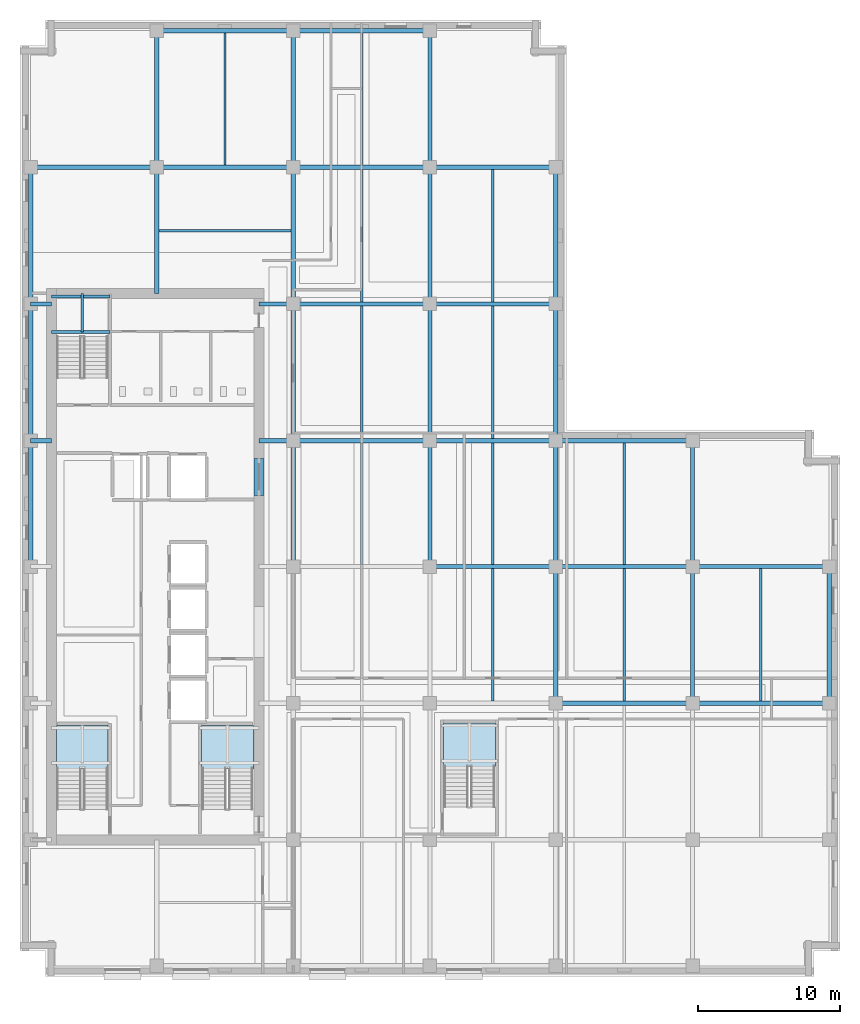
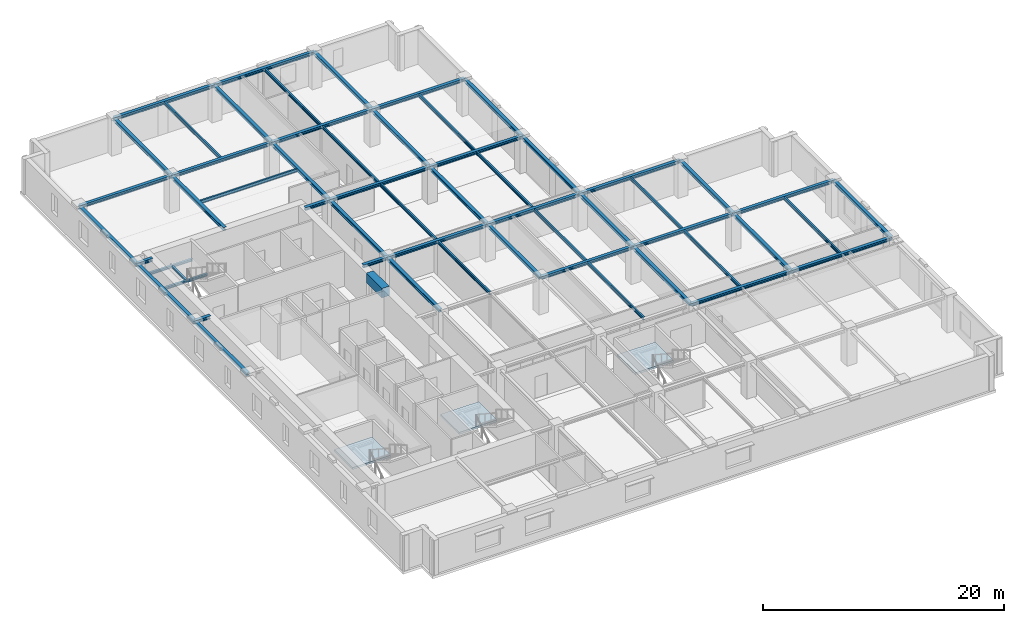
# One storey, part 2 of 13: 57 beams, 3 slabs, 3 elements without a shape of their own.
"""IFC4 building model written with IfcOpenShell, lengths in metres."""

from ifc_helpers import new_model, si_unit, direction, frame, origin, origin_2d, place, context, subcontext, project, spatial, polyline, rectangle, i_section, outline, extrude, material, layer, layer_set, material_profile, profile_set, type_object, element, aggregate, save


model = new_model("IFC4")

# Units and contexts
model_context = context("Model", 3, precision=1e-05, world=origin(), true_north=direction((0.0, 1.0)))
body_context = subcontext(model_context, "Body", "Model", "MODEL_VIEW")
ifc_project = project(units=[si_unit("LENGTHUNIT", "METRE"), si_unit("AREAUNIT", "SQUARE_METRE"), si_unit("VOLUMEUNIT", "CUBIC_METRE"), si_unit("PLANEANGLEUNIT", "RADIAN"), si_unit("MASSUNIT", "GRAM", prefix="KILO")], contexts=[model_context])

# Site, building, storey
site_placement = place(None, origin())
site = spatial("IfcSite", under=ifc_project, at=site_placement, CompositionType="ELEMENT")
building_placement = place(site_placement, origin())
building = spatial("IfcBuilding", under=site, at=building_placement, Name="Norrvale University Quadrangle", CompositionType="ELEMENT")
storey_placement = place(building_placement, frame((0.0, 0.0, 175.0)))
storey = spatial("IfcBuildingStorey", under=building, at=storey_placement, Name="L44", CompositionType="ELEMENT", Elevation=175.0)

# Beams
ifc_material_1 = material(Name="Steel 350W", Category="steel")
ifc_material_profile_1 = material_profile(ifc_material_1, i_section(OverallWidth=0.1669921875, OverallDepth=0.31689453125, WebThickness=0.007568359375, FlangeThickness=0.01318359375, FilletRadius=0.010009765625, at=origin_2d()), Name="Steel 350W")
ifc_profile_set_1 = profile_set([ifc_material_profile_1], Name="Steel 350W")
beam_type_1 = type_object("IfcBeamType", Name="Beam Canopy Purlin W310x52", PredefinedType="USERDEFINED", material=ifc_profile_set_1)
beam_1_placement = place(storey_placement, frame((14.39990234375, 57.00244140625, 3.381591796875), z_axis=(0.0, 1.0, 0.0), x_axis=(-1.0, 0.0, 0.0)))
element("IfcBeam", 1, at=beam_1_placement, inside=storey, type_object=beam_type_1, Name="Beam Canopy Purlin W310x52 BM-L44-J070", ObjectType="PURLIN", PredefinedType="USERDEFINED", context=body_context, shape_type="SweptSolid", body=[
    extrude(i_section(OverallWidth=0.1669921875, OverallDepth=0.31689453125, WebThickness=0.007568359375, FlangeThickness=0.01318359375, FilletRadius=0.010009765625, at=origin_2d()), origin(), (0.0, 0.0, 1.0), 9.295166015625),
])
beam_2_placement = place(storey_placement, frame((24.0, 28.952392578125, 3.381591796875), z_axis=(0.0, 1.0, 0.0), x_axis=(-1.0, 0.0, 0.0)))
element("IfcBeam", 2, at=beam_2_placement, inside=storey, type_object=beam_type_1, Name="Beam Canopy Purlin W310x52 BM-L44-J074", ObjectType="PURLIN", PredefinedType="USERDEFINED", context=body_context, shape_type="SweptSolid", body=[
    extrude(i_section(OverallWidth=0.1669921875, OverallDepth=0.31689453125, WebThickness=0.007568359375, FlangeThickness=0.01318359375, FilletRadius=0.010009765625, at=origin_2d()), origin(), (0.0, 0.0, 1.0), 8.545166015625),
])
for number, where, z_axis, x_axis, name in (
    (3, (24.0, 37.802490234375, 3.381591796875), (0.0, 1.0, 0.0), (-1.0, 0.0, 0.0), "Beam Canopy Purlin W310x52 BM-L44-J075"),
    (4, (24.0, 47.402587890625, 3.381591796875), (0.0, 1.0, 0.0), (-1.0, 0.0, 0.0), "Beam Canopy Purlin W310x52 BM-L44-J076"),
):
    element("IfcBeam", number, at=place(storey_placement, frame(where, z_axis=z_axis, x_axis=x_axis)), inside=storey, type_object=beam_type_1, Name=name, ObjectType="PURLIN", PredefinedType="USERDEFINED", context=body_context, shape_type="SweptSolid", body=[
        extrude(i_section(OverallWidth=0.1669921875, OverallDepth=0.31689453125, WebThickness=0.007568359375, FlangeThickness=0.01318359375, FilletRadius=0.010009765625, at=origin_2d()), origin(), (0.0, 0.0, 1.0), 9.294921875),
    ])
beam_3_placement = place(storey_placement, frame((24.0, 57.00244140625, 3.381591796875), z_axis=(0.0, 1.0, 0.0), x_axis=(-1.0, 0.0, 0.0)))
element("IfcBeam", 5, at=beam_3_placement, inside=storey, type_object=beam_type_1, Name="Beam Canopy Purlin W310x52 BM-L44-J077", ObjectType="PURLIN", PredefinedType="USERDEFINED", context=body_context, shape_type="SweptSolid", body=[
    extrude(i_section(OverallWidth=0.1669921875, OverallDepth=0.31689453125, WebThickness=0.007568359375, FlangeThickness=0.01318359375, FilletRadius=0.010009765625, at=origin_2d()), origin(), (0.0, 0.0, 1.0), 9.295166015625),
])
beam_4_placement = place(storey_placement, frame((33.22509765625, 19.3525390625, 3.381591796875), z_axis=(0.0, 1.0, 0.0), x_axis=(-1.0, 0.0, 0.0)))
element("IfcBeam", 6, at=beam_4_placement, inside=storey, type_object=beam_type_1, Name="Beam Canopy Purlin W310x52 BM-L44-J079", ObjectType="PURLIN", PredefinedType="USERDEFINED", context=body_context, shape_type="SweptSolid", body=[
    extrude(i_section(OverallWidth=0.1669921875, OverallDepth=0.31689453125, WebThickness=0.007568359375, FlangeThickness=0.01318359375, FilletRadius=0.010009765625, at=origin_2d()), origin(), (0.0, 0.0, 1.0), 9.294921875),
])
beam_5_placement = place(storey_placement, frame((33.22509765625, 28.952392578125, 3.381591796875), z_axis=(0.0, 1.0, 0.0), x_axis=(-1.0, 0.0, 0.0)))
element("IfcBeam", 7, at=beam_5_placement, inside=storey, type_object=beam_type_1, Name="Beam Canopy Purlin W310x52 BM-L44-J080", ObjectType="PURLIN", PredefinedType="USERDEFINED", context=body_context, shape_type="SweptSolid", body=[
    extrude(i_section(OverallWidth=0.1669921875, OverallDepth=0.31689453125, WebThickness=0.007568359375, FlangeThickness=0.01318359375, FilletRadius=0.010009765625, at=origin_2d()), origin(), (0.0, 0.0, 1.0), 8.545166015625),
])
for number, where, z_axis, x_axis, name in (
    (8, (33.22509765625, 37.802490234375, 3.381591796875), (0.0, 1.0, 0.0), (-1.0, 0.0, 0.0), "Beam Canopy Purlin W310x52 BM-L44-J081"),
    (9, (33.22509765625, 47.402587890625, 3.381591796875), (0.0, 1.0, 0.0), (-1.0, 0.0, 0.0), "Beam Canopy Purlin W310x52 BM-L44-J082"),
    (10, (42.449951171875, 19.3525390625, 3.381591796875), (0.0, 1.0, 0.0), (-1.0, 0.0, 0.0), "Beam Canopy Purlin W310x52 BM-L44-J085"),
):
    element("IfcBeam", number, at=place(storey_placement, frame(where, z_axis=z_axis, x_axis=x_axis)), inside=storey, type_object=beam_type_1, Name=name, ObjectType="PURLIN", PredefinedType="USERDEFINED", context=body_context, shape_type="SweptSolid", body=[
        extrude(i_section(OverallWidth=0.1669921875, OverallDepth=0.31689453125, WebThickness=0.007568359375, FlangeThickness=0.01318359375, FilletRadius=0.010009765625, at=origin_2d()), origin(), (0.0, 0.0, 1.0), 9.294921875),
    ])
beam_6_placement = place(storey_placement, frame((42.449951171875, 28.952392578125, 3.381591796875), z_axis=(0.0, 1.0, 0.0), x_axis=(-1.0, 0.0, 0.0)))
element("IfcBeam", 11, at=beam_6_placement, inside=storey, type_object=beam_type_1, Name="Beam Canopy Purlin W310x52 BM-L44-J086", ObjectType="PURLIN", PredefinedType="USERDEFINED", context=body_context, shape_type="SweptSolid", body=[
    extrude(i_section(OverallWidth=0.1669921875, OverallDepth=0.31689453125, WebThickness=0.007568359375, FlangeThickness=0.01318359375, FilletRadius=0.010009765625, at=origin_2d()), origin(), (0.0, 0.0, 1.0), 8.545166015625),
])
beam_7_placement = place(storey_placement, frame((52.050048828125, 19.3525390625, 3.381591796875), z_axis=(0.0, 1.0, 0.0), x_axis=(-1.0, 0.0, 0.0)))
element("IfcBeam", 12, at=beam_7_placement, inside=storey, type_object=beam_type_1, Name="Beam Canopy Purlin W310x52 BM-L44-J088", ObjectType="PURLIN", PredefinedType="USERDEFINED", context=body_context, shape_type="SweptSolid", body=[
    extrude(i_section(OverallWidth=0.1669921875, OverallDepth=0.31689453125, WebThickness=0.007568359375, FlangeThickness=0.01318359375, FilletRadius=0.010009765625, at=origin_2d()), origin(), (0.0, 0.0, 1.0), 9.294921875),
])
beam_8_placement = place(storey_placement, frame((9.75244140625, 52.39990234375, 3.381591796875), z_axis=(1.0, 0.0, 0.0), x_axis=(0.0, 1.0, 0.0)))
element("IfcBeam", 13, at=beam_8_placement, inside=storey, type_object=beam_type_1, Name="Beam Canopy Purlin W310x52 BM-L44-JCN092", ObjectType="PURLIN", PredefinedType="USERDEFINED", context=body_context, shape_type="SweptSolid", body=[
    extrude(i_section(OverallWidth=0.1669921875, OverallDepth=0.31689453125, WebThickness=0.007568359375, FlangeThickness=0.01318359375, FilletRadius=0.010009765625, at=origin_2d()), origin(), (0.0, 0.0, 1.0), 9.295166015625),
])
ifc_material_profile_2 = material_profile(ifc_material_1, i_section(OverallWidth=0.304931640625, OverallDepth=0.30810546875, WebThickness=0.010009765625, FlangeThickness=0.015380859375, FilletRadius=0.014892578125, at=origin_2d()), Name="Steel 350W")
ifc_profile_set_2 = profile_set([ifc_material_profile_2], Name="Steel 350W")
beam_type_2 = type_object("IfcBeamType", Name="Beam Canopy W310x97", PredefinedType="BEAM", material=ifc_profile_set_2)
for number, where, z_axis, x_axis, name in (
    (14, (37.64990234375, 19.199951171875, 3.385986328125), (1.0, 0.0, 0.0), (0.0, 1.0, 0.0), "Beam Canopy W310x97 BM-L44-GX011"),
    (15, (47.25, 19.199951171875, 3.385986328125), (1.0, 0.0, 0.0), (0.0, 1.0, 0.0), "Beam Canopy W310x97 BM-L44-GX012"),
):
    element("IfcBeam", number, at=place(storey_placement, frame(where, z_axis=z_axis, x_axis=x_axis)), inside=storey, type_object=beam_type_2, Name=name, PredefinedType="BEAM", context=body_context, shape_type="SweptSolid", body=[
        extrude(i_section(OverallWidth=0.304931640625, OverallDepth=0.30810546875, WebThickness=0.010009765625, FlangeThickness=0.015380859375, FilletRadius=0.014892578125, at=origin_2d()), origin(), (0.0, 0.0, 1.0), 9.60009765625),
    ])
beam_9_placement = place(storey_placement, frame((28.800048828125, 28.800048828125, 3.385986328125), z_axis=(1.0, 0.0, 0.0), x_axis=(0.0, 1.0, 0.0)))
element("IfcBeam", 16, at=beam_9_placement, inside=storey, type_object=beam_type_2, Name="Beam Canopy W310x97 BM-L44-GX014", PredefinedType="BEAM", context=body_context, shape_type="SweptSolid", body=[
    extrude(i_section(OverallWidth=0.304931640625, OverallDepth=0.30810546875, WebThickness=0.010009765625, FlangeThickness=0.015380859375, FilletRadius=0.014892578125, at=origin_2d()), origin(), (0.0, 0.0, 1.0), 8.849853515625),
])
for number, where, z_axis, x_axis, name in (
    (17, (37.64990234375, 28.800048828125, 3.385986328125), (1.0, 0.0, 0.0), (0.0, 1.0, 0.0), "Beam Canopy W310x97 BM-L44-GX015"),
    (18, (47.25, 28.800048828125, 3.385986328125), (1.0, 0.0, 0.0), (0.0, 1.0, 0.0), "Beam Canopy W310x97 BM-L44-GX016"),
    (19, (19.199951171875, 37.64990234375, 3.385986328125), (1.0, 0.0, 0.0), (0.0, 1.0, 0.0), "Beam Canopy W310x97 BM-L44-GX017"),
):
    element("IfcBeam", number, at=place(storey_placement, frame(where, z_axis=z_axis, x_axis=x_axis)), inside=storey, type_object=beam_type_2, Name=name, PredefinedType="BEAM", context=body_context, shape_type="SweptSolid", body=[
        extrude(i_section(OverallWidth=0.304931640625, OverallDepth=0.30810546875, WebThickness=0.010009765625, FlangeThickness=0.015380859375, FilletRadius=0.014892578125, at=origin_2d()), origin(), (0.0, 0.0, 1.0), 9.60009765625),
    ])
beam_10_placement = place(storey_placement, frame((28.800048828125, 37.64990234375, 3.385986328125), z_axis=(1.0, 0.0, 0.0), x_axis=(0.0, 1.0, 0.0)))
element("IfcBeam", 20, at=beam_10_placement, inside=storey, type_object=beam_type_2, Name="Beam Canopy W310x97 BM-L44-GX018", PredefinedType="BEAM", context=body_context, shape_type="SweptSolid", body=[
    extrude(i_section(OverallWidth=0.304931640625, OverallDepth=0.30810546875, WebThickness=0.010009765625, FlangeThickness=0.015380859375, FilletRadius=0.014892578125, at=origin_2d()), origin(), (0.0, 0.0, 1.0), 8.849853515625),
])
for number, where, z_axis, x_axis, name in (
    (21, (37.64990234375, 37.64990234375, 3.385986328125), (1.0, 0.0, 0.0), (0.0, 1.0, 0.0), "Beam Canopy W310x97 BM-L44-GX019"),
    (22, (19.199951171875, 47.25, 3.385986328125), (1.0, 0.0, 0.0), (0.0, 1.0, 0.0), "Beam Canopy W310x97 BM-L44-GX020"),
):
    element("IfcBeam", number, at=place(storey_placement, frame(where, z_axis=z_axis, x_axis=x_axis)), inside=storey, type_object=beam_type_2, Name=name, PredefinedType="BEAM", context=body_context, shape_type="SweptSolid", body=[
        extrude(i_section(OverallWidth=0.304931640625, OverallDepth=0.30810546875, WebThickness=0.010009765625, FlangeThickness=0.015380859375, FilletRadius=0.014892578125, at=origin_2d()), origin(), (0.0, 0.0, 1.0), 9.60009765625),
    ])
beam_11_placement = place(storey_placement, frame((28.800048828125, 47.25, 3.385986328125), z_axis=(1.0, 0.0, 0.0), x_axis=(0.0, 1.0, 0.0)))
element("IfcBeam", 23, at=beam_11_placement, inside=storey, type_object=beam_type_2, Name="Beam Canopy W310x97 BM-L44-GX021", PredefinedType="BEAM", context=body_context, shape_type="SweptSolid", body=[
    extrude(i_section(OverallWidth=0.304931640625, OverallDepth=0.30810546875, WebThickness=0.010009765625, FlangeThickness=0.015380859375, FilletRadius=0.014892578125, at=origin_2d()), origin(), (0.0, 0.0, 1.0), 8.849853515625),
])
beam_12_placement = place(storey_placement, frame((0.75, 56.85009765625, 3.385986328125), z_axis=(1.0, 0.0, 0.0), x_axis=(0.0, 1.0, 0.0)))
element("IfcBeam", 24, at=beam_12_placement, inside=storey, type_object=beam_type_2, Name="Beam Canopy W310x97 BM-L44-GX022", PredefinedType="BEAM", context=body_context, shape_type="SweptSolid", body=[
    extrude(i_section(OverallWidth=0.304931640625, OverallDepth=0.30810546875, WebThickness=0.010009765625, FlangeThickness=0.015380859375, FilletRadius=0.014892578125, at=origin_2d()), origin(), (0.0, 0.0, 1.0), 8.85009765625),
])
beam_13_placement = place(storey_placement, frame((9.60009765625, 56.85009765625, 3.385986328125), z_axis=(1.0, 0.0, 0.0), x_axis=(0.0, 1.0, 0.0)))
element("IfcBeam", 25, at=beam_13_placement, inside=storey, type_object=beam_type_2, Name="Beam Canopy W310x97 BM-L44-GX023", PredefinedType="BEAM", context=body_context, shape_type="SweptSolid", body=[
    extrude(i_section(OverallWidth=0.304931640625, OverallDepth=0.30810546875, WebThickness=0.010009765625, FlangeThickness=0.015380859375, FilletRadius=0.014892578125, at=origin_2d()), origin(), (0.0, 0.0, 1.0), 9.599853515625),
])
beam_14_placement = place(storey_placement, frame((19.199951171875, 56.85009765625, 3.385986328125), z_axis=(1.0, 0.0, 0.0), x_axis=(0.0, 1.0, 0.0)))
element("IfcBeam", 26, at=beam_14_placement, inside=storey, type_object=beam_type_2, Name="Beam Canopy W310x97 BM-L44-GX024", PredefinedType="BEAM", context=body_context, shape_type="SweptSolid", body=[
    extrude(i_section(OverallWidth=0.304931640625, OverallDepth=0.30810546875, WebThickness=0.010009765625, FlangeThickness=0.015380859375, FilletRadius=0.014892578125, at=origin_2d()), origin(), (0.0, 0.0, 1.0), 9.60009765625),
])
beam_15_placement = place(storey_placement, frame((28.800048828125, 56.85009765625, 3.385986328125), z_axis=(1.0, 0.0, 0.0), x_axis=(0.0, 1.0, 0.0)))
element("IfcBeam", 27, at=beam_15_placement, inside=storey, type_object=beam_type_2, Name="Beam Canopy W310x97 BM-L44-GX025", PredefinedType="BEAM", context=body_context, shape_type="SweptSolid", body=[
    extrude(i_section(OverallWidth=0.304931640625, OverallDepth=0.30810546875, WebThickness=0.010009765625, FlangeThickness=0.015380859375, FilletRadius=0.014892578125, at=origin_2d()), origin(), (0.0, 0.0, 1.0), 8.849853515625),
])
beam_16_placement = place(storey_placement, frame((9.60009765625, 66.449951171875, 3.385986328125), z_axis=(1.0, 0.0, 0.0), x_axis=(0.0, 1.0, 0.0)))
element("IfcBeam", 28, at=beam_16_placement, inside=storey, type_object=beam_type_2, Name="Beam Canopy W310x97 BM-L44-GX026", PredefinedType="BEAM", context=body_context, shape_type="SweptSolid", body=[
    extrude(i_section(OverallWidth=0.304931640625, OverallDepth=0.30810546875, WebThickness=0.010009765625, FlangeThickness=0.015380859375, FilletRadius=0.014892578125, at=origin_2d()), origin(), (0.0, 0.0, 1.0), 9.599853515625),
])
beam_17_placement = place(storey_placement, frame((19.199951171875, 66.449951171875, 3.385986328125), z_axis=(1.0, 0.0, 0.0), x_axis=(0.0, 1.0, 0.0)))
element("IfcBeam", 29, at=beam_17_placement, inside=storey, type_object=beam_type_2, Name="Beam Canopy W310x97 BM-L44-GX027", PredefinedType="BEAM", context=body_context, shape_type="SweptSolid", body=[
    extrude(i_section(OverallWidth=0.304931640625, OverallDepth=0.30810546875, WebThickness=0.010009765625, FlangeThickness=0.015380859375, FilletRadius=0.014892578125, at=origin_2d()), origin(), (0.0, 0.0, 1.0), 9.60009765625),
])
beam_18_placement = place(storey_placement, frame((0.75, 28.800048828125, 3.385986328125), z_axis=(0.0, 1.0, 0.0), x_axis=(-1.0, 0.0, 0.0)))
element("IfcBeam", 30, at=beam_18_placement, inside=storey, type_object=beam_type_2, Name="Beam Canopy W310x97 BM-L44-GY030", PredefinedType="BEAM", context=body_context, shape_type="SweptSolid", body=[
    extrude(i_section(OverallWidth=0.304931640625, OverallDepth=0.30810546875, WebThickness=0.010009765625, FlangeThickness=0.015380859375, FilletRadius=0.014892578125, at=origin_2d()), origin(), (0.0, 0.0, 1.0), 8.849853515625),
])
for number, where, z_axis, x_axis, name in (
    (31, (0.75, 37.64990234375, 3.385986328125), (0.0, 1.0, 0.0), (-1.0, 0.0, 0.0), "Beam Canopy W310x97 BM-L44-GY031"),
    (32, (0.75, 47.25, 3.385986328125), (0.0, 1.0, 0.0), (-1.0, 0.0, 0.0), "Beam Canopy W310x97 BM-L44-GY032"),
):
    element("IfcBeam", number, at=place(storey_placement, frame(where, z_axis=z_axis, x_axis=x_axis)), inside=storey, type_object=beam_type_2, Name=name, PredefinedType="BEAM", context=body_context, shape_type="SweptSolid", body=[
        extrude(i_section(OverallWidth=0.304931640625, OverallDepth=0.30810546875, WebThickness=0.010009765625, FlangeThickness=0.015380859375, FilletRadius=0.014892578125, at=origin_2d()), origin(), (0.0, 0.0, 1.0), 9.60009765625),
    ])
beam_19_placement = place(storey_placement, frame((9.60009765625, 56.85009765625, 3.385986328125), z_axis=(0.0, 1.0, 0.0), x_axis=(-1.0, 0.0, 0.0)))
element("IfcBeam", 33, at=beam_19_placement, inside=storey, type_object=beam_type_2, Name="Beam Canopy W310x97 BM-L44-GY033", PredefinedType="BEAM", context=body_context, shape_type="SweptSolid", body=[
    extrude(i_section(OverallWidth=0.304931640625, OverallDepth=0.30810546875, WebThickness=0.010009765625, FlangeThickness=0.015380859375, FilletRadius=0.014892578125, at=origin_2d()), origin(), (0.0, 0.0, 1.0), 9.599853515625),
])
beam_20_placement = place(storey_placement, frame((19.199951171875, 28.800048828125, 3.385986328125), z_axis=(0.0, 1.0, 0.0), x_axis=(-1.0, 0.0, 0.0)))
element("IfcBeam", 34, at=beam_20_placement, inside=storey, type_object=beam_type_2, Name="Beam Canopy W310x97 BM-L44-GY037", PredefinedType="BEAM", context=body_context, shape_type="SweptSolid", body=[
    extrude(i_section(OverallWidth=0.304931640625, OverallDepth=0.30810546875, WebThickness=0.010009765625, FlangeThickness=0.015380859375, FilletRadius=0.014892578125, at=origin_2d()), origin(), (0.0, 0.0, 1.0), 8.849853515625),
])
for number, where, z_axis, x_axis, name in (
    (35, (19.199951171875, 37.64990234375, 3.385986328125), (0.0, 1.0, 0.0), (-1.0, 0.0, 0.0), "Beam Canopy W310x97 BM-L44-GY038"),
    (36, (19.199951171875, 47.25, 3.385986328125), (0.0, 1.0, 0.0), (-1.0, 0.0, 0.0), "Beam Canopy W310x97 BM-L44-GY039"),
):
    element("IfcBeam", number, at=place(storey_placement, frame(where, z_axis=z_axis, x_axis=x_axis)), inside=storey, type_object=beam_type_2, Name=name, PredefinedType="BEAM", context=body_context, shape_type="SweptSolid", body=[
        extrude(i_section(OverallWidth=0.304931640625, OverallDepth=0.30810546875, WebThickness=0.010009765625, FlangeThickness=0.015380859375, FilletRadius=0.014892578125, at=origin_2d()), origin(), (0.0, 0.0, 1.0), 9.60009765625),
    ])
beam_21_placement = place(storey_placement, frame((19.199951171875, 56.85009765625, 3.385986328125), z_axis=(0.0, 1.0, 0.0), x_axis=(-1.0, 0.0, 0.0)))
element("IfcBeam", 37, at=beam_21_placement, inside=storey, type_object=beam_type_2, Name="Beam Canopy W310x97 BM-L44-GY040", PredefinedType="BEAM", context=body_context, shape_type="SweptSolid", body=[
    extrude(i_section(OverallWidth=0.304931640625, OverallDepth=0.30810546875, WebThickness=0.010009765625, FlangeThickness=0.015380859375, FilletRadius=0.014892578125, at=origin_2d()), origin(), (0.0, 0.0, 1.0), 9.599853515625),
])
beam_22_placement = place(storey_placement, frame((28.800048828125, 28.800048828125, 3.385986328125), z_axis=(0.0, 1.0, 0.0), x_axis=(-1.0, 0.0, 0.0)))
element("IfcBeam", 38, at=beam_22_placement, inside=storey, type_object=beam_type_2, Name="Beam Canopy W310x97 BM-L44-GY044", PredefinedType="BEAM", context=body_context, shape_type="SweptSolid", body=[
    extrude(i_section(OverallWidth=0.304931640625, OverallDepth=0.30810546875, WebThickness=0.010009765625, FlangeThickness=0.015380859375, FilletRadius=0.014892578125, at=origin_2d()), origin(), (0.0, 0.0, 1.0), 8.849853515625),
])
for number, where, z_axis, x_axis, name in (
    (39, (28.800048828125, 37.64990234375, 3.385986328125), (0.0, 1.0, 0.0), (-1.0, 0.0, 0.0), "Beam Canopy W310x97 BM-L44-GY045"),
    (40, (28.800048828125, 47.25, 3.385986328125), (0.0, 1.0, 0.0), (-1.0, 0.0, 0.0), "Beam Canopy W310x97 BM-L44-GY046"),
):
    element("IfcBeam", number, at=place(storey_placement, frame(where, z_axis=z_axis, x_axis=x_axis)), inside=storey, type_object=beam_type_2, Name=name, PredefinedType="BEAM", context=body_context, shape_type="SweptSolid", body=[
        extrude(i_section(OverallWidth=0.304931640625, OverallDepth=0.30810546875, WebThickness=0.010009765625, FlangeThickness=0.015380859375, FilletRadius=0.014892578125, at=origin_2d()), origin(), (0.0, 0.0, 1.0), 9.60009765625),
    ])
beam_23_placement = place(storey_placement, frame((28.800048828125, 56.85009765625, 3.385986328125), z_axis=(0.0, 1.0, 0.0), x_axis=(-1.0, 0.0, 0.0)))
element("IfcBeam", 41, at=beam_23_placement, inside=storey, type_object=beam_type_2, Name="Beam Canopy W310x97 BM-L44-GY047", PredefinedType="BEAM", context=body_context, shape_type="SweptSolid", body=[
    extrude(i_section(OverallWidth=0.304931640625, OverallDepth=0.30810546875, WebThickness=0.010009765625, FlangeThickness=0.015380859375, FilletRadius=0.014892578125, at=origin_2d()), origin(), (0.0, 0.0, 1.0), 9.599853515625),
])
beam_24_placement = place(storey_placement, frame((37.64990234375, 19.199951171875, 3.385986328125), z_axis=(0.0, 1.0, 0.0), x_axis=(-1.0, 0.0, 0.0)))
element("IfcBeam", 42, at=beam_24_placement, inside=storey, type_object=beam_type_2, Name="Beam Canopy W310x97 BM-L44-GY050", PredefinedType="BEAM", context=body_context, shape_type="SweptSolid", body=[
    extrude(i_section(OverallWidth=0.304931640625, OverallDepth=0.30810546875, WebThickness=0.010009765625, FlangeThickness=0.015380859375, FilletRadius=0.014892578125, at=origin_2d()), origin(), (0.0, 0.0, 1.0), 9.60009765625),
])
beam_25_placement = place(storey_placement, frame((37.64990234375, 28.800048828125, 3.385986328125), z_axis=(0.0, 1.0, 0.0), x_axis=(-1.0, 0.0, 0.0)))
element("IfcBeam", 43, at=beam_25_placement, inside=storey, type_object=beam_type_2, Name="Beam Canopy W310x97 BM-L44-GY051", PredefinedType="BEAM", context=body_context, shape_type="SweptSolid", body=[
    extrude(i_section(OverallWidth=0.304931640625, OverallDepth=0.30810546875, WebThickness=0.010009765625, FlangeThickness=0.015380859375, FilletRadius=0.014892578125, at=origin_2d()), origin(), (0.0, 0.0, 1.0), 8.849853515625),
])
for number, where, z_axis, x_axis, name in (
    (44, (37.64990234375, 37.64990234375, 3.385986328125), (0.0, 1.0, 0.0), (-1.0, 0.0, 0.0), "Beam Canopy W310x97 BM-L44-GY052"),
    (45, (37.64990234375, 47.25, 3.385986328125), (0.0, 1.0, 0.0), (-1.0, 0.0, 0.0), "Beam Canopy W310x97 BM-L44-GY053"),
    (46, (47.25, 19.199951171875, 3.385986328125), (0.0, 1.0, 0.0), (-1.0, 0.0, 0.0), "Beam Canopy W310x97 BM-L44-GY056"),
):
    element("IfcBeam", number, at=place(storey_placement, frame(where, z_axis=z_axis, x_axis=x_axis)), inside=storey, type_object=beam_type_2, Name=name, PredefinedType="BEAM", context=body_context, shape_type="SweptSolid", body=[
        extrude(i_section(OverallWidth=0.304931640625, OverallDepth=0.30810546875, WebThickness=0.010009765625, FlangeThickness=0.015380859375, FilletRadius=0.014892578125, at=origin_2d()), origin(), (0.0, 0.0, 1.0), 9.60009765625),
    ])
beam_26_placement = place(storey_placement, frame((47.25, 28.800048828125, 3.385986328125), z_axis=(0.0, 1.0, 0.0), x_axis=(-1.0, 0.0, 0.0)))
element("IfcBeam", 47, at=beam_26_placement, inside=storey, type_object=beam_type_2, Name="Beam Canopy W310x97 BM-L44-GY057", PredefinedType="BEAM", context=body_context, shape_type="SweptSolid", body=[
    extrude(i_section(OverallWidth=0.304931640625, OverallDepth=0.30810546875, WebThickness=0.010009765625, FlangeThickness=0.015380859375, FilletRadius=0.014892578125, at=origin_2d()), origin(), (0.0, 0.0, 1.0), 8.849853515625),
])
beam_27_placement = place(storey_placement, frame((56.85009765625, 19.199951171875, 3.385986328125), z_axis=(0.0, 1.0, 0.0), x_axis=(-1.0, 0.0, 0.0)))
element("IfcBeam", 48, at=beam_27_placement, inside=storey, type_object=beam_type_2, Name="Beam Canopy W310x97 BM-L44-GY059", PredefinedType="BEAM", context=body_context, shape_type="SweptSolid", body=[
    extrude(i_section(OverallWidth=0.304931640625, OverallDepth=0.30810546875, WebThickness=0.010009765625, FlangeThickness=0.015380859375, FilletRadius=0.014892578125, at=origin_2d()), origin(), (0.0, 0.0, 1.0), 9.60009765625),
])
beam_28_placement = place(storey_placement, frame((0.75, 37.64990234375, 3.385986328125), z_axis=(1.0, 0.0, 0.0), x_axis=(0.0, 1.0, 0.0)))
element("IfcBeam", 49, at=beam_28_placement, inside=storey, type_object=beam_type_2, Name="Beam Canopy W310x97 BM-L44-GCW066", PredefinedType="BEAM", context=body_context, shape_type="SweptSolid", body=[
    extrude(i_section(OverallWidth=0.304931640625, OverallDepth=0.30810546875, WebThickness=0.010009765625, FlangeThickness=0.015380859375, FilletRadius=0.014892578125, at=origin_2d()), origin(), (0.0, 0.0, 1.0), 1.449951171875),
])
beam_29_placement = place(storey_placement, frame((16.800048828125, 37.64990234375, 3.385986328125), z_axis=(1.0, 0.0, 0.0), x_axis=(0.0, 1.0, 0.0)))
element("IfcBeam", 50, at=beam_29_placement, inside=storey, type_object=beam_type_2, Name="Beam Canopy W310x97 BM-L44-GCE067", PredefinedType="BEAM", context=body_context, shape_type="SweptSolid", body=[
    extrude(i_section(OverallWidth=0.304931640625, OverallDepth=0.30810546875, WebThickness=0.010009765625, FlangeThickness=0.015380859375, FilletRadius=0.014892578125, at=origin_2d()), origin(), (0.0, 0.0, 1.0), 2.39990234375),
])
beam_30_placement = place(storey_placement, frame((0.75, 47.25, 3.385986328125), z_axis=(1.0, 0.0, 0.0), x_axis=(0.0, 1.0, 0.0)))
element("IfcBeam", 51, at=beam_30_placement, inside=storey, type_object=beam_type_2, Name="Beam Canopy W310x97 BM-L44-GCW068", PredefinedType="BEAM", context=body_context, shape_type="SweptSolid", body=[
    extrude(i_section(OverallWidth=0.304931640625, OverallDepth=0.30810546875, WebThickness=0.010009765625, FlangeThickness=0.015380859375, FilletRadius=0.014892578125, at=origin_2d()), origin(), (0.0, 0.0, 1.0), 1.449951171875),
])
beam_31_placement = place(storey_placement, frame((16.800048828125, 47.25, 3.385986328125), z_axis=(1.0, 0.0, 0.0), x_axis=(0.0, 1.0, 0.0)))
element("IfcBeam", 52, at=beam_31_placement, inside=storey, type_object=beam_type_2, Name="Beam Canopy W310x97 BM-L44-GCE069", PredefinedType="BEAM", context=body_context, shape_type="SweptSolid", body=[
    extrude(i_section(OverallWidth=0.304931640625, OverallDepth=0.30810546875, WebThickness=0.010009765625, FlangeThickness=0.015380859375, FilletRadius=0.014892578125, at=origin_2d()), origin(), (0.0, 0.0, 1.0), 2.39990234375),
])
beam_32_placement = place(storey_placement, frame((9.60009765625, 48.0, 3.385986328125), z_axis=(0.0, 1.0, 0.0), x_axis=(-1.0, 0.0, 0.0)))
element("IfcBeam", 53, at=beam_32_placement, inside=storey, type_object=beam_type_2, Name="Beam Canopy W310x97 BM-L44-GCN091", PredefinedType="BEAM", context=body_context, shape_type="SweptSolid", body=[
    extrude(i_section(OverallWidth=0.304931640625, OverallDepth=0.30810546875, WebThickness=0.010009765625, FlangeThickness=0.015380859375, FilletRadius=0.014892578125, at=origin_2d()), origin(), (0.0, 0.0, 1.0), 8.85009765625),
])
ifc_material_2 = material(Name="Concrete C80/95", Category="concrete")
ifc_material_profile_3 = material_profile(ifc_material_2, rectangle(XDim=0.699951171875, YDim=0.949951171875, at=origin_2d()), Name="Concrete C80/95")
ifc_profile_set_3 = profile_set([ifc_material_profile_3], Name="Concrete C80/95")
beam_type_3 = type_object("IfcBeamType", Name="Beam Core Link 700x950", PredefinedType="LINTEL", material=ifc_profile_set_3)
beam_33_placement = place(storey_placement, frame((16.800048828125, 33.800048828125, 3.06494140625), z_axis=(0.0, 1.0, 0.0), x_axis=(-1.0, 0.0, 0.0)))
element("IfcBeam", 54, at=beam_33_placement, inside=storey, type_object=beam_type_3, Name="Core Coupling Lintel Beam L44-2", PredefinedType="LINTEL", context=body_context, shape_type="SweptSolid", body=[
    extrude(rectangle(XDim=0.699951171875, YDim=0.949951171875, at=origin_2d()), origin(), (0.0, 0.0, 1.0), 2.599853515625),
])
ifc_material_profile_4 = material_profile(ifc_material_1, i_section(OverallWidth=0.201904296875, OverallDepth=0.2470703125, WebThickness=0.00732421875, FlangeThickness=0.010986328125, FilletRadius=0.011962890625, at=origin_2d()), Name="Steel 350W")
ifc_profile_set_4 = profile_set([ifc_material_profile_4], Name="Steel 350W")
beam_type_4 = type_object("IfcBeamType", Name="Beam Stair W250x49", PredefinedType="BEAM", material=ifc_profile_set_4)
for number, where, z_axis, x_axis, name in (
    (55, (2.199951171875, 45.2900390625, 1.576416015625), (1.0, 0.0, 0.0), (0.0, 1.0, 0.0), "Stair Mid-Landing Front Beam ST-02 L44"),
    (56, (2.199951171875, 47.77001953125, 1.576416015625), (1.0, 0.0, 0.0), (0.0, 1.0, 0.0), "Stair Mid-Landing Rear Beam ST-02 L44"),
):
    element("IfcBeam", number, at=place(storey_placement, frame(where, z_axis=z_axis, x_axis=x_axis)), inside=storey, type_object=beam_type_4, Name=name, PredefinedType="BEAM", context=body_context, shape_type="SweptSolid", body=[
        extrude(i_section(OverallWidth=0.201904296875, OverallDepth=0.2470703125, WebThickness=0.00732421875, FlangeThickness=0.010986328125, FilletRadius=0.011962890625, at=origin_2d()), origin(), (0.0, 0.0, 1.0), 4.14013671875),
    ])
ifc_material_profile_5 = material_profile(ifc_material_1, i_section(OverallWidth=0.202880859375, OverallDepth=0.202880859375, WebThickness=0.007080078125, FlangeThickness=0.010986328125, FilletRadius=0.010009765625, at=origin_2d()), Name="Steel 350W")
ifc_profile_set_5 = profile_set([ifc_material_profile_5], Name="Steel 350W")
beam_type_5 = type_object("IfcBeamType", Name="Beam Trim W200x46", PredefinedType="BEAM", material=ifc_profile_set_5)
beam_34_placement = place(storey_placement, frame((4.375, 45.2900390625, 1.598388671875), z_axis=(0.0, 1.0, 0.0), x_axis=(-1.0, 0.0, 0.0)))
element("IfcBeam", 57, at=beam_34_placement, inside=storey, type_object=beam_type_5, Name="Stair Mid-Landing Cross Beam ST-02 L44", PredefinedType="BEAM", context=body_context, shape_type="SweptSolid", body=[
    extrude(i_section(OverallWidth=0.202880859375, OverallDepth=0.202880859375, WebThickness=0.007080078125, FlangeThickness=0.010986328125, FilletRadius=0.010009765625, at=origin_2d()), origin(), (0.0, 0.0, 1.0), 2.7099609375),
])

# Stair, slab
ifc_material_3 = material(Name="Concrete C40/50", Category="concrete")
stair_type = type_object("IfcStairType", Name="Stair Tower Typ 3800", PredefinedType="TWO_STRAIGHT_RUN_STAIR", material=ifc_material_3)
stair_1_placement = place(storey_placement, origin())
stair_1 = element("IfcStair", 58, at=stair_1_placement, inside=storey, type_object=stair_type, Name="Exit Stair ST-01 L44", PredefinedType="TWO_STRAIGHT_RUN_STAIR")
ifc_layer = layer(ifc_material_3, 0.199951171875, Name="Concrete C40/50")
ifc_layer_set = layer_set([ifc_layer], Name="Concrete C40/50")
slab_type = type_object("IfcSlabType", Name="Slab Landing 200", PredefinedType="LANDING", material=ifc_layer_set)
slab_1_placement = place(storey_placement, frame((0.0, 0.0, 1.699951171875)))
slab_1 = element("IfcSlab", 59, at=slab_1_placement, type_object=slab_type, Name="Exit Stair ST-01 L44 Mid Landing", PredefinedType="LANDING", context=body_context, shape_type="SweptSolid", body=[
    extrude(outline(polyline([(2.550048828125, 14.590087890625), (6.199951171875, 14.590087890625), (6.199951171875, 17.64990234375), (2.550048828125, 17.64990234375), (2.550048828125, 14.590087890625)])), origin(), (0.0, 0.0, 1.0), 0.199951171875),
])
aggregate(stair_1, [slab_1])

stair_2_placement = place(storey_placement, origin())
stair_2 = element("IfcStair", 60, at=stair_2_placement, inside=storey, type_object=stair_type, Name="Exit Stair ST-03 L44", PredefinedType="TWO_STRAIGHT_RUN_STAIR")
slab_2_placement = place(storey_placement, frame((0.0, 0.0, 1.699951171875)))
slab_2 = element("IfcSlab", 61, at=slab_2_placement, type_object=slab_type, Name="Exit Stair ST-03 L44 Mid Landing", PredefinedType="LANDING", context=body_context, shape_type="SweptSolid", body=[
    extrude(outline(polyline([(12.75, 14.590087890625), (16.39990234375, 14.590087890625), (16.39990234375, 17.64990234375), (12.75, 17.64990234375), (12.75, 14.590087890625)])), origin(), (0.0, 0.0, 1.0), 0.199951171875),
])
aggregate(stair_2, [slab_2])

stair_3_placement = place(storey_placement, origin())
stair_3 = element("IfcStair", 62, at=stair_3_placement, inside=storey, type_object=stair_type, Name="Exit Stair ST-04 L44", PredefinedType="TWO_STRAIGHT_RUN_STAIR")
slab_3_placement = place(storey_placement, frame((0.0, 0.0, 1.699951171875)))
slab_3 = element("IfcSlab", 63, at=slab_3_placement, type_object=slab_type, Name="Exit Stair ST-04 L44 Mid Landing", PredefinedType="LANDING", context=body_context, shape_type="SweptSolid", body=[
    extrude(outline(polyline([(29.75, 14.739990234375), (33.39990234375, 14.739990234375), (33.39990234375, 17.800048828125), (29.75, 17.800048828125), (29.75, 14.739990234375)])), origin(), (0.0, 0.0, 1.0), 0.199951171875),
])
aggregate(stair_3, [slab_3])

save(model, "model.ifc")
